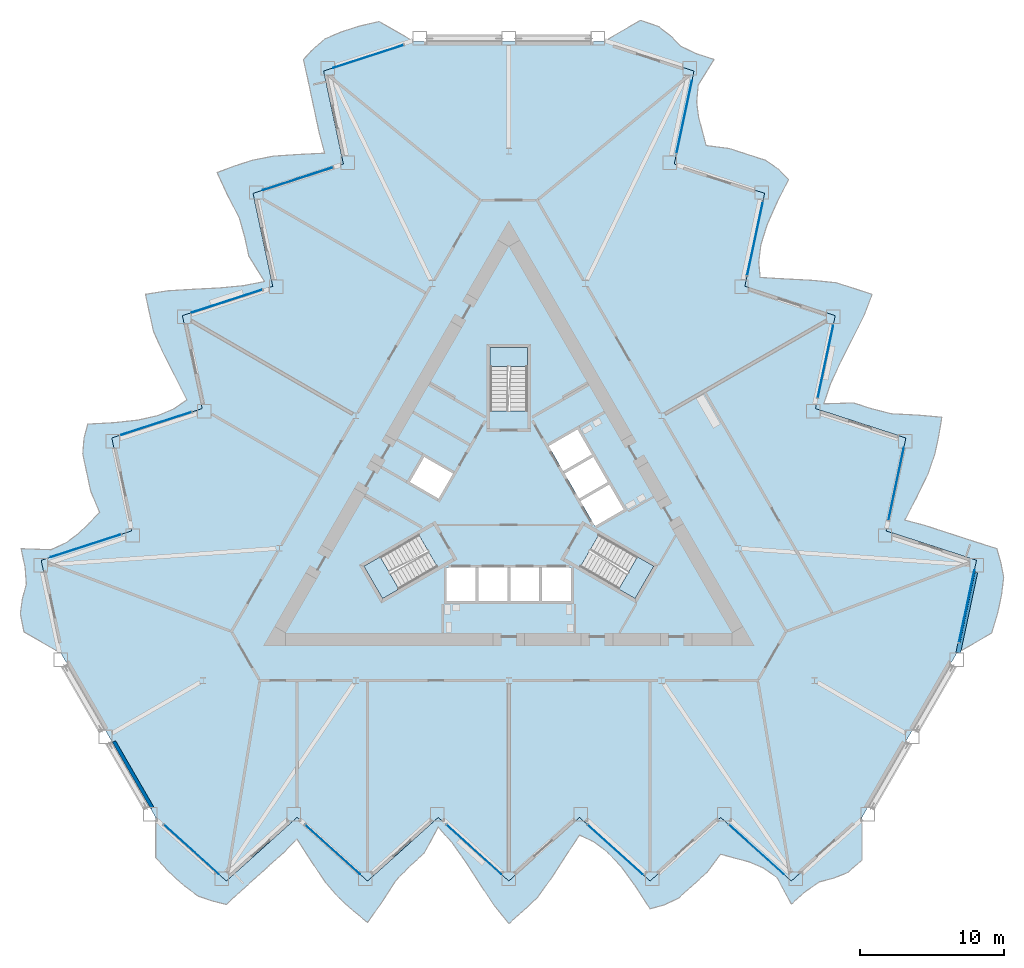
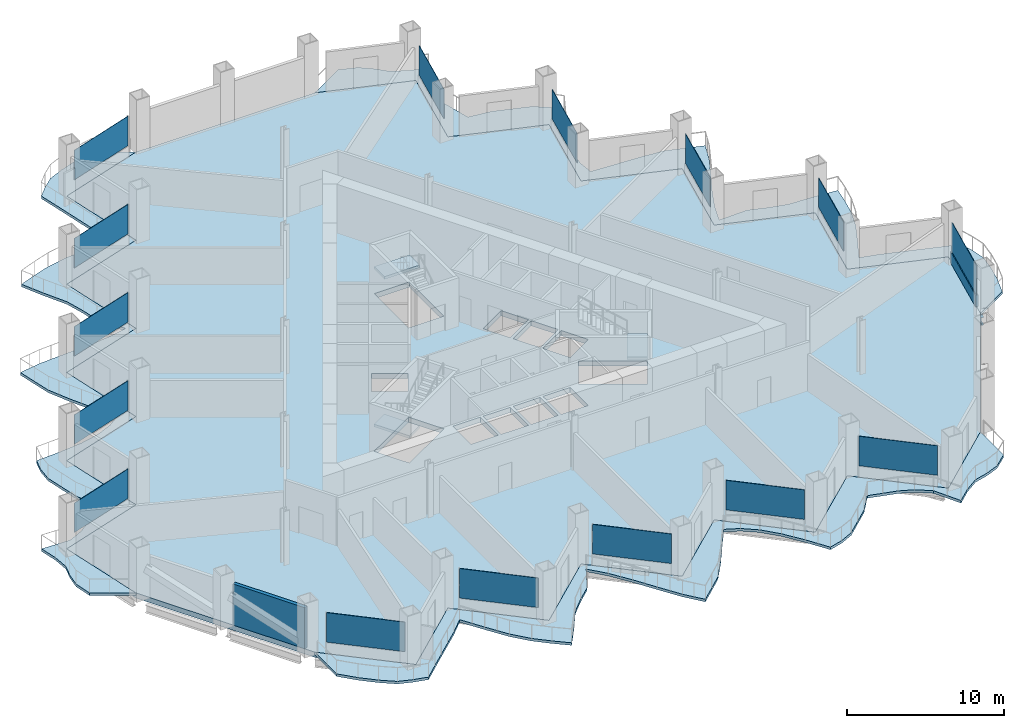
# One storey, part 8 of 20: 15 plates, 7 slabs, 1 beam, 1 member, 1 wall, 18 elements without a shape of their own.
"""IFC4 building model written with IfcOpenShell, lengths in metres."""

from ifc_helpers import new_model, si_unit, direction, frame, frame_2d, origin, origin_2d, place, context, subcontext, project, spatial, polyline, rectangle, i_section, outline, extrude, material, layer, layer_set, material_profile, profile_set, type_object, element, aggregate, save


model = new_model("IFC4")

# Units and contexts
model_context = context("Model", 3, precision=1e-05, world=origin(), true_north=direction((0.0, 1.0)))
body_context = subcontext(model_context, "Body", "Model", "MODEL_VIEW")
ifc_project = project(units=[si_unit("LENGTHUNIT", "METRE"), si_unit("AREAUNIT", "SQUARE_METRE"), si_unit("VOLUMEUNIT", "CUBIC_METRE"), si_unit("PLANEANGLEUNIT", "RADIAN"), si_unit("MASSUNIT", "GRAM", prefix="KILO")], contexts=[model_context])

# Site, building, storey
site_placement = place(None, origin())
site = spatial("IfcSite", under=ifc_project, at=site_placement, CompositionType="ELEMENT")
building_placement = place(site_placement, origin())
building = spatial("IfcBuilding", under=site, at=building_placement, Name="Cormorant Prow Tower", CompositionType="ELEMENT")
storey_placement = place(building_placement, frame((0.0, 0.0, 63.60009765625)))
storey = spatial("IfcBuildingStorey", under=building, at=storey_placement, Name="L13", CompositionType="ELEMENT", Elevation=63.60009765625)

# Curtain wall, member
ifc_material_1 = material(Name="Aluminium 6063-T6", Category="aluminium")
ifc_layer_1 = layer(ifc_material_1, 0.199951171875)
ifc_layer_set_1 = layer_set([ifc_layer_1], Name="Aluminium 6063-T6")
curtain_wall_type = type_object("IfcCurtainWallType", Name="Office unitised curtain wall 200", PredefinedType="NOTDEFINED", material=ifc_layer_set_1)
curtain_wall_1_placement = place(storey_placement, origin())
curtain_wall_1 = element("IfcCurtainWall", 1, at=curtain_wall_1_placement, inside=storey, type_object=curtain_wall_type, Name="Office curtain wall ENE00", PredefinedType="NOTDEFINED")
ifc_material_2 = material(Name="Terracotta", Category="masonry")
ifc_material_profile_1 = material_profile(ifc_material_2, rectangle(XDim=0.159912109375, YDim=0.89990234375, at=origin_2d()), Name="Office terracotta spandrel rail 160x900")
ifc_profile_set_1 = profile_set([ifc_material_profile_1], Name="Terracotta")
member_type = type_object("IfcMemberType", Name="Office terracotta spandrel rail 160x900", PredefinedType="USERDEFINED", material=ifc_profile_set_1)
member_placement = place(storey_placement, frame((31.15869140625, -9.575439453125, 0.449951171875), z_axis=(0.20787817929, 0.978154723229, 0.0), x_axis=(-0.978154723229, 0.20787817929, 0.0)))
member = element("IfcMember", 2, at=member_placement, type_object=member_type, Name="Office spandrel rail ENE00", ObjectType="TRANSOM", PredefinedType="USERDEFINED", context=body_context, shape_type="SweptSolid", body=[
    extrude(rectangle(XDim=0.159912109375, YDim=0.89990234375, at=origin_2d()), origin(), (0.0, 0.0, 1.0), 5.111083984375),
])

# Beam
ifc_material_3 = material(Name="Structural steel ASTM A992 Gr 50", Category="steel")
ifc_material_profile_2 = material_profile(ifc_material_3, i_section(OverallWidth=0.32373046875, OverallDepth=0.611083984375, WebThickness=0.0126953125, FlangeThickness=0.01904296875, at=origin_2d()), Name="W24x104")
ifc_profile_set_2 = profile_set([ifc_material_profile_2], Name="Structural steel ASTM A992 Gr 50")
beam_type = type_object("IfcBeamType", Name="Spandrel beam W24x104", PredefinedType="SPANDREL", material=ifc_profile_set_2)
beam_placement = place(storey_placement, frame((31.10400390625, -10.28466796875, -0.70556640625), z_axis=(0.207900376723, 0.97815000555, 0.0), x_axis=(-0.97815000555, 0.207900376723, 0.0)))
element("IfcBeam", 3, at=beam_placement, inside=storey, type_object=beam_type, Name="Spandrel beam SB1 ENE00-ENE01 L13", PredefinedType="SPANDREL", context=body_context, shape_type="SweptSolid", body=[
    extrude(i_section(OverallWidth=0.32373046875, OverallDepth=0.611083984375, WebThickness=0.0126953125, FlangeThickness=0.01904296875, at=origin_2d()), origin(), (0.0, 0.0, 1.0), 5.6826171875),
])

# Slabs
ifc_material_4 = material(Name="Concrete C40/50", Category="concrete")
ifc_layer_2 = layer(ifc_material_4, 0.199951171875)
ifc_layer_set_2 = layer_set([ifc_layer_2], Name="Concrete C40/50")
slab_type_1 = type_object("IfcSlabType", Name="Balcony slab 200", PredefinedType="FLOOR", material=ifc_layer_set_2)
slab_1_placement = place(storey_placement, frame((0.0, 0.0, -0.2001953125)))
element("IfcSlab", 4, at=slab_1_placement, inside=storey, type_object=slab_type_1, Name="Balcony slab S L13", PredefinedType="FLOOR", context=body_context, shape_type="SweptSolid", body=[
    extrude(outline(polyline([(-24.43896484375, -21.68603515625), (-24.43896484375, -24.4697265625), (-23.461181640625, -25.51611328125), (-22.483642578125, -26.396240234375), (-21.506103515625, -27.12890625), (-20.528564453125, -27.464111328125), (-19.551025390625, -27.7060546875), (-18.573486328125, -26.806640625), (-17.595947265625, -25.926513671875), (-16.618408203125, -25.04638671875), (-15.640869140625, -24.166015625), (-14.663330078125, -23.178466796875), (-13.685791015625, -24.6953125), (-12.708251953125, -26.152587890625), (-11.730712890625, -27.276611328125), (-10.753173828125, -28.15673828125), (-9.775634765625, -28.958984375), (-8.798095703125, -27.563720703125), (-7.8203125, -26.04931640625), (-6.8427734375, -25.04638671875), (-5.865234375, -24.166015625), (-4.8876953125, -22.34521484375), (-3.91015625, -23.4619140625), (-2.9326171875, -24.840576171875), (-1.955078125, -26.351318359375), (-0.9775390625, -27.82958984375), (0.0, -29.036865234375), (0.9775390625, -28.15673828125), (1.955078125, -27.26123046875), (2.9326171875, -25.899658203125), (3.91015625, -24.393798828125), (4.8876953125, -22.90673828125), (5.865234375, -23.357177734375), (6.8427734375, -24.09716796875), (7.8203125, -25.1630859375), (8.798095703125, -26.506591796875), (9.775634765625, -28.006591796875), (10.753173828125, -27.740966796875), (11.730712890625, -27.276611328125), (12.708251953125, -26.396240234375), (13.685791015625, -25.51611328125), (14.663330078125, -24.23193359375), (15.640869140625, -24.499267578125), (16.618408203125, -24.758056640625), (17.595947265625, -25.170166015625), (18.573486328125, -25.858154296875), (19.551025390625, -27.68701171875), (20.528564453125, -26.806640625), (21.506103515625, -26.140869140625), (22.483642578125, -25.8876953125), (23.461181640625, -25.493408203125), (24.43896484375, -24.635986328125), (24.43896484375, -21.68603515625), (23.461181640625, -22.566162109375), (22.483642578125, -23.4462890625), (21.506103515625, -24.326416015625), (20.528564453125, -25.206787109375), (19.551025390625, -26.0869140625), (18.573486328125, -25.206787109375), (17.595947265625, -24.326416015625), (16.618408203125, -23.4462890625), (15.640869140625, -22.566162109375), (14.663330078125, -21.68603515625), (13.685791015625, -22.566162109375), (12.708251953125, -23.4462890625), (11.730712890625, -24.326416015625), (10.753173828125, -25.206787109375), (9.775634765625, -26.0869140625), (8.798095703125, -25.206787109375), (7.8203125, -24.326416015625), (6.8427734375, -23.4462890625), (5.865234375, -22.566162109375), (4.8876953125, -21.68603515625), (3.91015625, -22.566162109375), (2.9326171875, -23.4462890625), (1.955078125, -24.326416015625), (0.9775390625, -25.206787109375), (0.0, -26.0869140625), (-0.9775390625, -25.206787109375), (-1.955078125, -24.326416015625), (-2.9326171875, -23.4462890625), (-3.91015625, -22.566162109375), (-4.8876953125, -21.68603515625), (-5.865234375, -22.566162109375), (-6.8427734375, -23.4462890625), (-7.8203125, -24.326416015625), (-8.798095703125, -25.206787109375), (-9.775634765625, -26.0869140625), (-10.753173828125, -25.206787109375), (-11.730712890625, -24.326416015625), (-12.708251953125, -23.4462890625), (-13.685791015625, -22.566162109375), (-14.663330078125, -21.68603515625), (-15.640869140625, -22.566162109375), (-16.618408203125, -23.4462890625), (-17.595947265625, -24.326416015625), (-18.573486328125, -25.206787109375), (-19.551025390625, -26.0869140625), (-20.528564453125, -25.206787109375), (-21.506103515625, -24.326416015625), (-22.483642578125, -23.4462890625), (-23.461181640625, -22.566162109375), (-24.43896484375, -21.68603515625)])), origin(), (0.0, 0.0, 1.0), 0.2001953125),
])
slab_2_placement = place(storey_placement, frame((0.0, 0.0, -0.2001953125)))
element("IfcSlab", 5, at=slab_2_placement, inside=storey, type_object=slab_type_1, Name="Balcony slab ENE L13", PredefinedType="FLOOR", context=body_context, shape_type="SweptSolid", body=[
    extrude(outline(polyline([(31.0, -10.32177734375), (33.410888671875, -8.9296875), (33.828369140625, -7.56005859375), (34.101806640625, -6.2734375), (34.247314453125, -5.060546875), (34.048828125, -4.04638671875), (33.769775390625, -3.07861328125), (32.501953125, -2.681884765625), (31.2509765625, -2.275390625), (30.0, -1.868896484375), (28.7490234375, -1.46240234375), (27.40478515625, -1.109619140625), (28.229736328125, 0.49560546875), (29.0029296875, 2.070556640625), (29.487548828125, 3.479248046875), (29.760986328125, 4.765869140625), (29.967041015625, 6.013671875), (28.269775390625, 6.16259765625), (26.469482421875, 6.251953125), (25.1123046875, 6.59716796875), (23.861083984375, 7.003662109375), (21.79541015625, 6.939697265625), (22.273681640625, 8.344482421875), (22.97900390625, 9.880615234375), (23.798583984375, 11.482421875), (24.58984375, 13.068115234375), (25.146728515625, 14.5185546875), (23.895751953125, 14.925048828125), (22.63134765625, 15.32373046875), (20.963623046875, 15.48974609375), (19.170654296875, 15.583251953125), (17.393798828125, 15.686279296875), (17.29541015625, 16.758056640625), (17.447265625, 17.974609375), (17.881591796875, 19.354248046875), (18.556396484375, 20.87255859375), (19.36669921875, 22.46923828125), (18.64794921875, 23.18310546875), (17.7568359375, 23.79736328125), (16.505859375, 24.203857421875), (15.254638671875, 24.6103515625), (13.65380859375, 24.814697265625), (13.396484375, 25.794921875), (13.1318359375, 26.77099609375), (13.0, 27.82373046875), (13.10693359375, 29.01416015625), (14.201904296875, 30.775146484375), (12.950927734375, 31.181640625), (11.885498046875, 31.6953125), (11.177490234375, 32.415283203125), (10.34716796875, 33.064697265625), (9.115966796875, 33.482666015625), (6.56103515625, 32.007568359375), (7.812255859375, 31.60107421875), (9.063232421875, 31.194580078125), (10.314208984375, 30.7880859375), (11.5654296875, 30.381591796875), (12.81640625, 29.97509765625), (12.54296875, 28.6884765625), (12.269287109375, 27.40185546875), (11.995849609375, 26.115234375), (11.722412109375, 24.828369140625), (11.448974609375, 23.541748046875), (12.699951171875, 23.13525390625), (13.950927734375, 22.728759765625), (15.2021484375, 22.322265625), (16.453125, 21.915771484375), (17.7041015625, 21.50927734375), (17.4306640625, 20.22265625), (17.1572265625, 18.93603515625), (16.8837890625, 17.649169921875), (16.610107421875, 16.362548828125), (16.336669921875, 15.075927734375), (17.587646484375, 14.66943359375), (18.8388671875, 14.262939453125), (20.08984375, 13.8564453125), (21.3408203125, 13.449951171875), (22.592041015625, 13.04345703125), (22.318359375, 11.7568359375), (22.044921875, 10.469970703125), (21.771484375, 9.183349609375), (21.498046875, 7.896728515625), (21.224365234375, 6.610107421875), (22.4755859375, 6.20361328125), (23.7265625, 5.797119140625), (24.9775390625, 5.390625), (26.228759765625, 4.984130859375), (27.479736328125, 4.57763671875), (27.206298828125, 3.291015625), (26.9326171875, 2.004150390625), (26.6591796875, 0.717529296875), (26.3857421875, -0.569091796875), (26.1123046875, -1.855712890625), (27.36328125, -2.26220703125), (28.6142578125, -2.668701171875), (29.865478515625, -3.0751953125), (31.116455078125, -3.481689453125), (32.367431640625, -3.88818359375), (32.093994140625, -5.175048828125), (31.820556640625, -6.461669921875), (31.546875, -7.748291015625), (31.2734375, -9.034912109375), (31.0, -10.32177734375)])), origin(), (0.0, 0.0, 1.0), 0.2001953125),
])
slab_3_placement = place(storey_placement, frame((0.0, 0.0, -0.2001953125)))
element("IfcSlab", 6, at=slab_3_placement, inside=storey, type_object=slab_type_1, Name="Balcony slab WNW L13", PredefinedType="FLOOR", context=body_context, shape_type="SweptSolid", body=[
    extrude(outline(polyline([(-6.56103515625, 32.007568359375), (-8.97216796875, 33.399658203125), (-10.366943359375, 33.076171875), (-11.617919921875, 32.669677734375), (-12.7412109375, 32.189453125), (-13.520263671875, 31.51025390625), (-14.218505859375, 30.78466796875), (-13.928466796875, 29.488525390625), (-13.655029296875, 28.201904296875), (-13.381591796875, 26.9150390625), (-13.108154296875, 25.62841796875), (-12.741455078125, 24.2880859375), (-14.5439453125, 24.199951171875), (-16.294677734375, 24.08203125), (-17.7568359375, 23.79736328125), (-19.0078125, 23.390869140625), (-20.19140625, 22.9453125), (-19.471923828125, 21.401123046875), (-18.649169921875, 19.79736328125), (-18.269287109375, 18.44921875), (-17.995849609375, 17.16259765625), (-16.907470703125, 15.405517578125), (-18.363525390625, 15.1171875), (-20.04638671875, 14.9599609375), (-21.843505859375, 14.868896484375), (-23.6123046875, 14.761474609375), (-25.146728515625, 14.5185546875), (-24.873291015625, 13.231689453125), (-24.58642578125, 11.9375), (-23.896240234375, 10.41015625), (-23.080810546875, 8.810546875), (-22.28173828125, 7.220458984375), (-23.16064453125, 6.59912109375), (-24.290283203125, 6.12255859375), (-25.7021484375, 5.808837890625), (-27.354248046875, 5.634033203125), (-29.14208984375, 5.537353515625), (-29.401123046875, 4.55810546875), (-29.487548828125, 3.479248046875), (-29.2138671875, 2.192626953125), (-28.9404296875, 0.90576171875), (-28.317138671875, -0.582763671875), (-29.037353515625, -1.2958984375), (-29.750244140625, -2.012939453125), (-30.595947265625, -2.653564453125), (-31.6806640625, -3.156005859375), (-33.753173828125, -3.08837890625), (-33.4794921875, -4.375), (-33.3916015625, -5.554443359375), (-33.661376953125, -6.527587890625), (-33.80859375, -7.571533203125), (-33.5546875, -8.8466796875), (-31.0, -10.32177734375), (-31.2734375, -9.034912109375), (-31.546875, -7.748291015625), (-31.820556640625, -6.461669921875), (-32.093994140625, -5.175048828125), (-32.367431640625, -3.88818359375), (-31.116455078125, -3.481689453125), (-29.865478515625, -3.0751953125), (-28.6142578125, -2.668701171875), (-27.36328125, -2.26220703125), (-26.1123046875, -1.855712890625), (-26.3857421875, -0.569091796875), (-26.6591796875, 0.717529296875), (-26.9326171875, 2.004150390625), (-27.206298828125, 3.291015625), (-27.479736328125, 4.57763671875), (-26.228759765625, 4.984130859375), (-24.9775390625, 5.390625), (-23.7265625, 5.797119140625), (-22.4755859375, 6.20361328125), (-21.224365234375, 6.610107421875), (-21.498046875, 7.896728515625), (-21.771484375, 9.183349609375), (-22.044921875, 10.469970703125), (-22.318359375, 11.7568359375), (-22.592041015625, 13.04345703125), (-21.3408203125, 13.449951171875), (-20.08984375, 13.8564453125), (-18.8388671875, 14.262939453125), (-17.587646484375, 14.66943359375), (-16.336669921875, 15.075927734375), (-16.610107421875, 16.362548828125), (-16.8837890625, 17.649169921875), (-17.1572265625, 18.93603515625), (-17.4306640625, 20.22265625), (-17.7041015625, 21.50927734375), (-16.453125, 21.915771484375), (-15.2021484375, 22.322265625), (-13.950927734375, 22.728759765625), (-12.699951171875, 23.13525390625), (-11.448974609375, 23.541748046875), (-11.722412109375, 24.828369140625), (-11.995849609375, 26.115234375), (-12.269287109375, 27.40185546875), (-12.54296875, 28.6884765625), (-12.81640625, 29.97509765625), (-11.5654296875, 30.381591796875), (-10.314208984375, 30.7880859375), (-9.063232421875, 31.194580078125), (-7.812255859375, 31.60107421875), (-6.56103515625, 32.007568359375)])), origin(), (0.0, 0.0, 1.0), 0.2001953125),
])

# Curtain wall, plate
curtain_wall_2_placement = place(storey_placement, origin())
curtain_wall_2 = element("IfcCurtainWall", 7, at=curtain_wall_2_placement, inside=storey, type_object=curtain_wall_type, Name="Office curtain wall S00", PredefinedType="NOTDEFINED")
ifc_material_5 = material(Name="Clear glass", Category="glass")
ifc_layer_3 = layer(ifc_material_5, 0.031982421875)
ifc_layer_set_3 = layer_set([ifc_layer_3], Name="Clear glass")
plate_type = type_object("IfcPlateType", Name="Office glass panel 32", PredefinedType="CURTAIN_PANEL", material=ifc_layer_set_3)
plate_1_placement = place(storey_placement, frame((-21.97265625, -23.906494140625, 0.89990234375), z_axis=(0.0, 0.0, 1.0), x_axis=(0.743144808544, -0.669130625166, 0.0)))
plate_1 = element("IfcPlate", 8, at=plate_1_placement, type_object=plate_type, Name="Office glass panel S00", PredefinedType="CURTAIN_PANEL", context=body_context, shape_type="SweptSolid", body=[
    extrude(rectangle(XDim=5.111083984375, YDim=0.031982421875, at=origin_2d()), origin(), (0.0, 0.0, 1.0), 2.288818359375),
])
aggregate(curtain_wall_2, [plate_1])

curtain_wall_3_placement = place(storey_placement, origin())
curtain_wall_3 = element("IfcCurtainWall", 9, at=curtain_wall_3_placement, inside=storey, type_object=curtain_wall_type, Name="Office curtain wall S02", PredefinedType="NOTDEFINED")
plate_2_placement = place(storey_placement, frame((-12.197021484375, -23.906494140625, 0.89990234375), z_axis=(0.0, 0.0, 1.0), x_axis=(0.743144808544, -0.669130625166, 0.0)))
plate_2 = element("IfcPlate", 10, at=plate_2_placement, type_object=plate_type, Name="Office glass panel S02", PredefinedType="CURTAIN_PANEL", context=body_context, shape_type="SweptSolid", body=[
    extrude(rectangle(XDim=5.111083984375, YDim=0.031982421875, at=origin_2d()), origin(), (0.0, 0.0, 1.0), 2.288818359375),
])
aggregate(curtain_wall_3, [plate_2])

curtain_wall_4_placement = place(storey_placement, origin())
curtain_wall_4 = element("IfcCurtainWall", 11, at=curtain_wall_4_placement, inside=storey, type_object=curtain_wall_type, Name="Office curtain wall S04", PredefinedType="NOTDEFINED")
plate_3_placement = place(storey_placement, frame((-2.421630859375, -23.906494140625, 0.89990234375), z_axis=(0.0, 0.0, 1.0), x_axis=(0.743144808544, -0.669130625166, 0.0)))
plate_3 = element("IfcPlate", 12, at=plate_3_placement, type_object=plate_type, Name="Office glass panel S04", PredefinedType="CURTAIN_PANEL", context=body_context, shape_type="SweptSolid", body=[
    extrude(rectangle(XDim=5.111083984375, YDim=0.031982421875, at=origin_2d()), origin(), (0.0, 0.0, 1.0), 2.288818359375),
])
aggregate(curtain_wall_4, [plate_3])

curtain_wall_5_placement = place(storey_placement, origin())
curtain_wall_5 = element("IfcCurtainWall", 13, at=curtain_wall_5_placement, inside=storey, type_object=curtain_wall_type, Name="Office curtain wall S06", PredefinedType="NOTDEFINED")
plate_4_placement = place(storey_placement, frame((7.35400390625, -23.906494140625, 0.89990234375), z_axis=(0.0, 0.0, 1.0), x_axis=(0.743144808544, -0.669130625166, 0.0)))
plate_4 = element("IfcPlate", 14, at=plate_4_placement, type_object=plate_type, Name="Office glass panel S06", PredefinedType="CURTAIN_PANEL", context=body_context, shape_type="SweptSolid", body=[
    extrude(rectangle(XDim=5.111083984375, YDim=0.031982421875, at=origin_2d()), origin(), (0.0, 0.0, 1.0), 2.288818359375),
])
aggregate(curtain_wall_5, [plate_4])

curtain_wall_6_placement = place(storey_placement, origin())
curtain_wall_6 = element("IfcCurtainWall", 15, at=curtain_wall_6_placement, inside=storey, type_object=curtain_wall_type, Name="Office curtain wall S08", PredefinedType="NOTDEFINED")
plate_5_placement = place(storey_placement, frame((17.12939453125, -23.906494140625, 0.89990234375), z_axis=(0.0, 0.0, 1.0), x_axis=(0.743144808544, -0.669130625166, 0.0)))
plate_5 = element("IfcPlate", 16, at=plate_5_placement, type_object=plate_type, Name="Office glass panel S08", PredefinedType="CURTAIN_PANEL", context=body_context, shape_type="SweptSolid", body=[
    extrude(rectangle(XDim=5.111083984375, YDim=0.031982421875, at=origin_2d()), origin(), (0.0, 0.0, 1.0), 2.288818359375),
])
aggregate(curtain_wall_6, [plate_5])

# Plate
plate_6_placement = place(storey_placement, frame((31.68994140625, -7.07568359375, 0.89990234375), z_axis=(0.0, 0.0, 1.0), x_axis=(0.207911660293, 0.978147607222, 0.0)))
plate_6 = element("IfcPlate", 17, at=plate_6_placement, type_object=plate_type, Name="Office glass panel ENE00", PredefinedType="CURTAIN_PANEL", context=body_context, shape_type="SweptSolid", body=[
    extrude(rectangle(XDim=5.111083984375, YDim=0.031982421875, at=origin_2d()), origin(), (0.0, 0.0, 1.0), 2.288818359375),
])

aggregate(curtain_wall_1, [member, plate_6])

# Curtain wall, plate
curtain_wall_7_placement = place(storey_placement, origin())
curtain_wall_7 = element("IfcCurtainWall", 18, at=curtain_wall_7_placement, inside=storey, type_object=curtain_wall_type, Name="Office curtain wall ENE02", PredefinedType="NOTDEFINED")
plate_7_placement = place(storey_placement, frame((26.80224609375, 1.39013671875, 0.89990234375), z_axis=(0.0, 0.0, 1.0), x_axis=(0.207911629376, 0.978147613794, 0.0)))
plate_7 = element("IfcPlate", 19, at=plate_7_placement, type_object=plate_type, Name="Office glass panel ENE02", PredefinedType="CURTAIN_PANEL", context=body_context, shape_type="SweptSolid", body=[
    extrude(rectangle(XDim=5.111083984375, YDim=0.031982421875, at=origin_2d()), origin(), (0.0, 0.0, 1.0), 2.288818359375),
])
aggregate(curtain_wall_7, [plate_7])

curtain_wall_8_placement = place(storey_placement, origin())
curtain_wall_8 = element("IfcCurtainWall", 20, at=curtain_wall_8_placement, inside=storey, type_object=curtain_wall_type, Name="Office curtain wall ENE04", PredefinedType="NOTDEFINED")
plate_8_placement = place(storey_placement, frame((21.914306640625, 9.856201171875, 0.89990234375), z_axis=(0.0, 0.0, 1.0), x_axis=(0.207911660293, 0.978147607222, 0.0)))
plate_8 = element("IfcPlate", 21, at=plate_8_placement, type_object=plate_type, Name="Office glass panel ENE04", PredefinedType="CURTAIN_PANEL", context=body_context, shape_type="SweptSolid", body=[
    extrude(rectangle(XDim=5.111083984375, YDim=0.031982421875, at=origin_2d()), origin(), (0.0, 0.0, 1.0), 2.288818359375),
])
aggregate(curtain_wall_8, [plate_8])

curtain_wall_9_placement = place(storey_placement, origin())
curtain_wall_9 = element("IfcCurtainWall", 22, at=curtain_wall_9_placement, inside=storey, type_object=curtain_wall_type, Name="Office curtain wall ENE06", PredefinedType="NOTDEFINED")
plate_9_placement = place(storey_placement, frame((17.026611328125, 18.322021484375, 0.89990234375), z_axis=(0.0, 0.0, 1.0), x_axis=(0.207911805763, 0.978147576301, 0.0)))
plate_9 = element("IfcPlate", 23, at=plate_9_placement, type_object=plate_type, Name="Office glass panel ENE06", PredefinedType="CURTAIN_PANEL", context=body_context, shape_type="SweptSolid", body=[
    extrude(rectangle(XDim=5.111083984375, YDim=0.031982421875, at=origin_2d()), origin(), (0.0, 0.0, 1.0), 2.288818359375),
])
aggregate(curtain_wall_9, [plate_9])

curtain_wall_10_placement = place(storey_placement, origin())
curtain_wall_10 = element("IfcCurtainWall", 24, at=curtain_wall_10_placement, inside=storey, type_object=curtain_wall_type, Name="Office curtain wall ENE08", PredefinedType="NOTDEFINED")
plate_10_placement = place(storey_placement, frame((12.138916015625, 26.787841796875, 0.89990234375), z_axis=(0.0, 0.0, 1.0), x_axis=(0.207911805763, 0.978147576301, 0.0)))
plate_10 = element("IfcPlate", 25, at=plate_10_placement, type_object=plate_type, Name="Office glass panel ENE08", PredefinedType="CURTAIN_PANEL", context=body_context, shape_type="SweptSolid", body=[
    extrude(rectangle(XDim=5.111083984375, YDim=0.031982421875, at=origin_2d()), origin(), (0.0, 0.0, 1.0), 2.288818359375),
])
aggregate(curtain_wall_10, [plate_10])

curtain_wall_11_placement = place(storey_placement, origin())
curtain_wall_11 = element("IfcCurtainWall", 26, at=curtain_wall_11_placement, inside=storey, type_object=curtain_wall_type, Name="Office curtain wall WNW00", PredefinedType="NOTDEFINED")
plate_11_placement = place(storey_placement, frame((-9.71728515625, 30.982177734375, 0.89990234375), z_axis=(0.0, 0.0, 1.0), x_axis=(-0.951056488633, -0.309017079512, 0.0)))
plate_11 = element("IfcPlate", 27, at=plate_11_placement, type_object=plate_type, Name="Office glass panel WNW00", PredefinedType="CURTAIN_PANEL", context=body_context, shape_type="SweptSolid", body=[
    extrude(rectangle(XDim=5.111083984375, YDim=0.031982421875, at=origin_2d()), origin(), (0.0, 0.0, 1.0), 2.288818359375),
])
aggregate(curtain_wall_11, [plate_11])

curtain_wall_12_placement = place(storey_placement, origin())
curtain_wall_12 = element("IfcCurtainWall", 28, at=curtain_wall_12_placement, inside=storey, type_object=curtain_wall_type, Name="Office curtain wall WNW02", PredefinedType="NOTDEFINED")
plate_12_placement = place(storey_placement, frame((-14.60498046875, 22.516357421875, 0.89990234375), z_axis=(0.0, 0.0, 1.0), x_axis=(-0.951056547836, -0.309016897304, 0.0)))
plate_12 = element("IfcPlate", 29, at=plate_12_placement, type_object=plate_type, Name="Office glass panel WNW02", PredefinedType="CURTAIN_PANEL", context=body_context, shape_type="SweptSolid", body=[
    extrude(rectangle(XDim=5.111083984375, YDim=0.031982421875, at=origin_2d()), origin(), (0.0, 0.0, 1.0), 2.288818359375),
])
aggregate(curtain_wall_12, [plate_12])

curtain_wall_13_placement = place(storey_placement, origin())
curtain_wall_13 = element("IfcCurtainWall", 30, at=curtain_wall_13_placement, inside=storey, type_object=curtain_wall_type, Name="Office curtain wall WNW04", PredefinedType="NOTDEFINED")
plate_13_placement = place(storey_placement, frame((-19.492919921875, 14.05029296875, 0.89990234375), z_axis=(0.0, 0.0, 1.0), x_axis=(-0.951056488633, -0.309017079512, 0.0)))
plate_13 = element("IfcPlate", 31, at=plate_13_placement, type_object=plate_type, Name="Office glass panel WNW04", PredefinedType="CURTAIN_PANEL", context=body_context, shape_type="SweptSolid", body=[
    extrude(rectangle(XDim=5.111083984375, YDim=0.031982421875, at=origin_2d()), origin(), (0.0, 0.0, 1.0), 2.288818359375),
])
aggregate(curtain_wall_13, [plate_13])

curtain_wall_14_placement = place(storey_placement, origin())
curtain_wall_14 = element("IfcCurtainWall", 32, at=curtain_wall_14_placement, inside=storey, type_object=curtain_wall_type, Name="Office curtain wall WNW06", PredefinedType="NOTDEFINED")
plate_14_placement = place(storey_placement, frame((-24.380615234375, 5.58447265625, 0.89990234375), z_axis=(0.0, 0.0, 1.0), x_axis=(-0.951056533317, -0.309016941988, 0.0)))
plate_14 = element("IfcPlate", 33, at=plate_14_placement, type_object=plate_type, Name="Office glass panel WNW06", PredefinedType="CURTAIN_PANEL", context=body_context, shape_type="SweptSolid", body=[
    extrude(rectangle(XDim=5.111083984375, YDim=0.031982421875, at=origin_2d()), origin(), (0.0, 0.0, 1.0), 2.288818359375),
])
aggregate(curtain_wall_14, [plate_14])

curtain_wall_15_placement = place(storey_placement, origin())
curtain_wall_15 = element("IfcCurtainWall", 34, at=curtain_wall_15_placement, inside=storey, type_object=curtain_wall_type, Name="Office curtain wall WNW08", PredefinedType="NOTDEFINED")
plate_15_placement = place(storey_placement, frame((-29.268310546875, -2.88134765625, 0.89990234375), z_axis=(0.0, 0.0, 1.0), x_axis=(-0.951056533317, -0.309016941988, 0.0)))
plate_15 = element("IfcPlate", 35, at=plate_15_placement, type_object=plate_type, Name="Office glass panel WNW08", PredefinedType="CURTAIN_PANEL", context=body_context, shape_type="SweptSolid", body=[
    extrude(rectangle(XDim=5.111083984375, YDim=0.031982421875, at=origin_2d()), origin(), (0.0, 0.0, 1.0), 2.288818359375),
])
aggregate(curtain_wall_15, [plate_15])

# Slab
ifc_material_6 = material(Name="Concrete C40/50", Category="concrete")
ifc_layer_4 = layer(ifc_material_6, 0.39990234375)
ifc_layer_set_4 = layer_set([ifc_layer_4], Name="Concrete C40/50")
slab_type_2 = type_object("IfcSlabType", Name="Post-tensioned flat slab 400", PredefinedType="FLOOR", material=ifc_layer_set_4)
slab_4_placement = place(storey_placement, frame((0.0, 0.0, -0.400146484375)))
element("IfcSlab", 36, at=slab_4_placement, inside=storey, type_object=slab_type_2, Name="Floor slab L13", PredefinedType="FLOOR", context=body_context, shape_type="SweptSolid", body=[
    extrude(outline(polyline([(-12.81640625, 29.97509765625), (-11.448974609375, 23.541748046875), (-17.7041015625, 21.50927734375), (-16.336669921875, 15.075927734375), (-22.592041015625, 13.04345703125), (-21.224365234375, 6.610107421875), (-27.479736328125, 4.57763671875), (-26.1123046875, -1.855712890625), (-32.367431640625, -3.88818359375), (-31.0, -10.32177734375), (-27.719482421875, -16.00390625), (-24.43896484375, -21.68603515625), (-19.551025390625, -26.0869140625), (-14.663330078125, -21.68603515625), (-9.775634765625, -26.0869140625), (-4.8876953125, -21.68603515625), (0.0, -26.0869140625), (4.8876953125, -21.68603515625), (9.775634765625, -26.0869140625), (14.663330078125, -21.68603515625), (19.551025390625, -26.0869140625), (24.43896484375, -21.68603515625), (27.719482421875, -16.00390625), (31.0, -10.32177734375), (32.367431640625, -3.88818359375), (26.1123046875, -1.855712890625), (27.479736328125, 4.57763671875), (21.224365234375, 6.610107421875), (22.592041015625, 13.04345703125), (16.336669921875, 15.075927734375), (17.7041015625, 21.50927734375), (11.448974609375, 23.541748046875), (12.81640625, 29.97509765625), (6.56103515625, 32.007568359375), (0.0, 32.007568359375), (-6.56103515625, 32.007568359375), (-12.81640625, 29.97509765625)]), holes=[polyline([(-4.300048828125, -6.699951171875), (-4.300048828125, -4.39990234375), (-2.300048828125, -4.39990234375), (-2.300048828125, -6.699951171875), (-4.300048828125, -6.699951171875)]), polyline([(-2.10009765625, -4.39990234375), (-0.10009765625, -4.39990234375), (-0.10009765625, -6.699951171875), (-2.10009765625, -6.699951171875), (-2.10009765625, -4.39990234375)]), polyline([(2.10009765625, -4.39990234375), (2.10009765625, -6.699951171875), (0.10009765625, -6.699951171875), (0.10009765625, -4.39990234375), (2.10009765625, -4.39990234375)]), polyline([(4.300048828125, -6.699951171875), (2.300048828125, -6.699951171875), (2.300048828125, -4.39990234375), (4.300048828125, -4.39990234375), (4.300048828125, -6.699951171875)]), polyline([(7.952392578125, -0.373779296875), (5.96044921875, -1.52392578125), (4.96044921875, 0.2080078125), (6.952392578125, 1.358154296875), (7.952392578125, -0.373779296875)]), polyline([(4.860595703125, 0.38134765625), (3.860595703125, 2.11328125), (5.852294921875, 3.263427734375), (6.852294921875, 1.53125), (4.860595703125, 0.38134765625)]), polyline([(2.760498046875, 4.018798828125), (4.75244140625, 5.168701171875), (5.75244140625, 3.4365234375), (3.760498046875, 2.28662109375), (2.760498046875, 4.018798828125)]), polyline([(-6.852294921875, 1.53125), (-5.852294921875, 3.263427734375), (-3.860595703125, 2.11328125), (-4.860595703125, 0.38134765625), (-6.852294921875, 1.53125)]), polyline([(-4.947509765625, -4.3505859375), (-8.738037109375, -6.5390625), (-10.031982421875, -4.2978515625), (-6.241455078125, -2.109375), (-4.947509765625, -4.3505859375)]), polyline([(10.031982421875, -4.2978515625), (8.738037109375, -6.5390625), (4.947509765625, -4.3505859375), (6.241455078125, -2.109375), (10.031982421875, -4.2978515625)]), polyline([(1.2939453125, 10.8369140625), (1.2939453125, 6.459716796875), (-1.2939453125, 6.459716796875), (-1.2939453125, 10.8369140625), (1.2939453125, 10.8369140625)])]), origin(), (0.0, 0.0, 1.0), 0.400146484375),
])

# Stair, slab
ifc_material_7 = material(Name="Exit stair 24 risers")
stair_type = type_object("IfcStairType", Name="Exit stair 24 risers", PredefinedType="HALF_TURN_STAIR", material=ifc_material_7)
stair_1_placement = place(storey_placement, origin())
stair_1 = element("IfcStair", 37, at=stair_1_placement, inside=storey, type_object=stair_type, Name="L13 Exit stair ST1", PredefinedType="HALF_TURN_STAIR")
ifc_material_8 = material(Name="Concrete 5000 psi", Category="concrete")
ifc_layer_5 = layer(ifc_material_8, 0.199951171875)
ifc_layer_set_5 = layer_set([ifc_layer_5], Name="Concrete 5000 psi")
slab_type_3 = type_object("IfcSlabType", Name="Stair landing 200", PredefinedType="LANDING", material=ifc_layer_set_5)
slab_5_placement = place(storey_placement, frame((0.0, 0.0, 1.89990234375)))
slab_5 = element("IfcSlab", 38, at=slab_5_placement, type_object=slab_type_3, Name="ST1 landing 1", PredefinedType="LANDING", context=body_context, shape_type="SweptSolid", body=[
    extrude(outline(polyline([(-8.90185546875, -3.645263671875), (-10.031982421875, -4.2978515625), (-8.738037109375, -6.5390625), (-7.60791015625, -5.886474609375), (-8.90185546875, -3.645263671875)])), origin(), (0.0, 0.0, 1.0), 0.199951171875),
])
aggregate(stair_1, [slab_5])

stair_2_placement = place(storey_placement, origin())
stair_2 = element("IfcStair", 39, at=stair_2_placement, inside=storey, type_object=stair_type, Name="L13 Exit stair ST2", PredefinedType="HALF_TURN_STAIR")
slab_6_placement = place(storey_placement, frame((0.0, 0.0, 1.89990234375)))
slab_6 = element("IfcSlab", 40, at=slab_6_placement, type_object=slab_type_3, Name="ST2 landing 1", PredefinedType="LANDING", context=body_context, shape_type="SweptSolid", body=[
    extrude(outline(polyline([(7.60791015625, -5.886474609375), (8.738037109375, -6.5390625), (10.031982421875, -4.2978515625), (8.90185546875, -3.645263671875), (7.60791015625, -5.886474609375)])), origin(), (0.0, 0.0, 1.0), 0.199951171875),
])
aggregate(stair_2, [slab_6])

stair_3_placement = place(storey_placement, origin())
stair_3 = element("IfcStair", 41, at=stair_3_placement, inside=storey, type_object=stair_type, Name="L13 Exit stair ST3", PredefinedType="HALF_TURN_STAIR")
slab_7_placement = place(storey_placement, frame((0.0, 0.0, 1.89990234375)))
slab_7 = element("IfcSlab", 42, at=slab_7_placement, type_object=slab_type_3, Name="ST3 landing 1", PredefinedType="LANDING", context=body_context, shape_type="SweptSolid", body=[
    extrude(outline(polyline([(1.2939453125, 9.53173828125), (1.2939453125, 10.8369140625), (-1.2939453125, 10.8369140625), (-1.2939453125, 9.53173828125), (1.2939453125, 9.53173828125)])), origin(), (0.0, 0.0, 1.0), 0.199951171875),
])
aggregate(stair_3, [slab_7])

# Wall
ifc_material_9 = material(Name="Terracotta", Category="masonry")
ifc_layer_6 = layer(ifc_material_9, 0.25)
ifc_layer_set_6 = layer_set([ifc_layer_6], Name="Terracotta")
wall_type = type_object("IfcWallType", Name="Terracotta bay wall 250", PredefinedType="SOLIDWALL", material=ifc_layer_set_6)
wall_placement = place(storey_placement, frame((-27.32861328125, -16.430908203125, 0.0), z_axis=(0.0, 0.0, 1.0), x_axis=(0.500008603535, -0.866020436474, 0.0)))
element("IfcWall", 43, at=wall_placement, inside=storey, type_object=wall_type, Name="Terracotta bay wall WSW01", PredefinedType="SOLIDWALL", context=body_context, shape_type="SweptSolid", body=[
    extrude(rectangle(XDim=5.29296875, YDim=0.25, at=frame_2d((2.646484375, 0.0))), origin(), (0.0, 0.0, 1.0), 3.188720703125),
])

save(model, "model.ifc")
